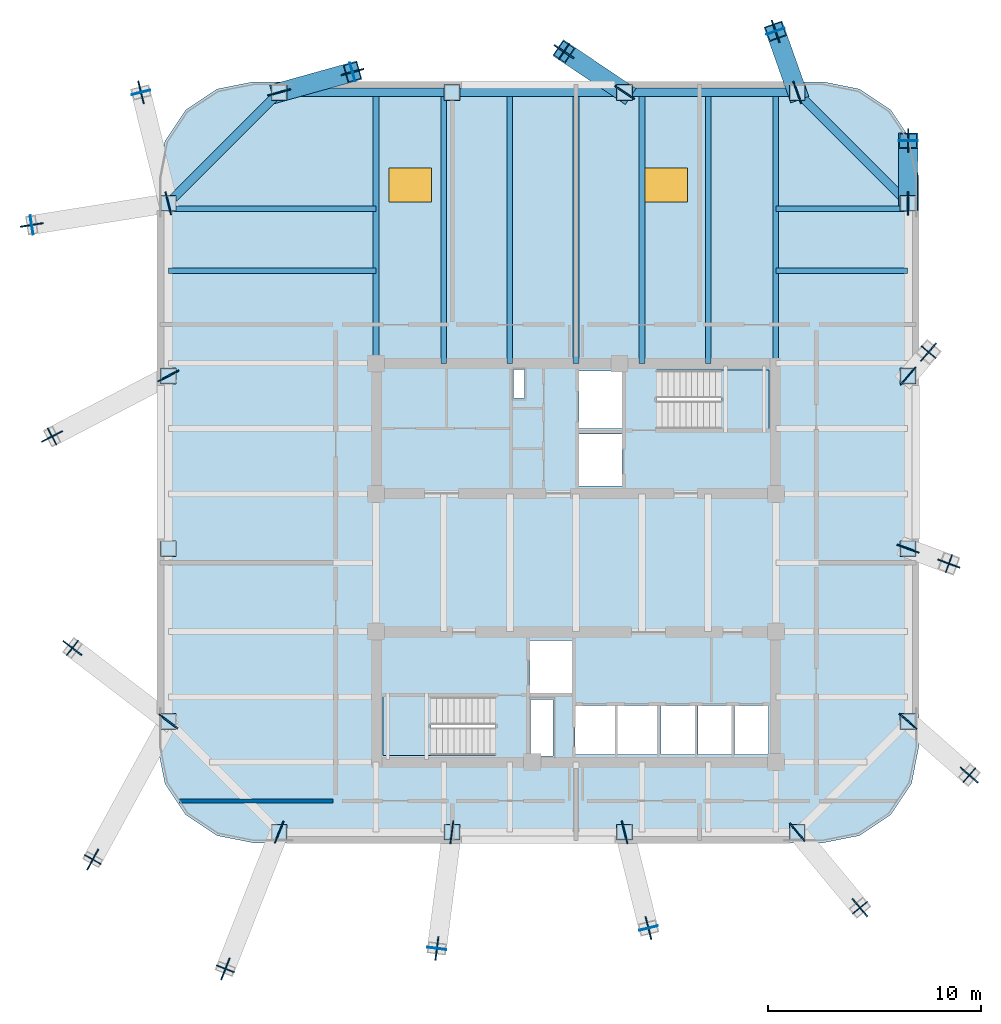
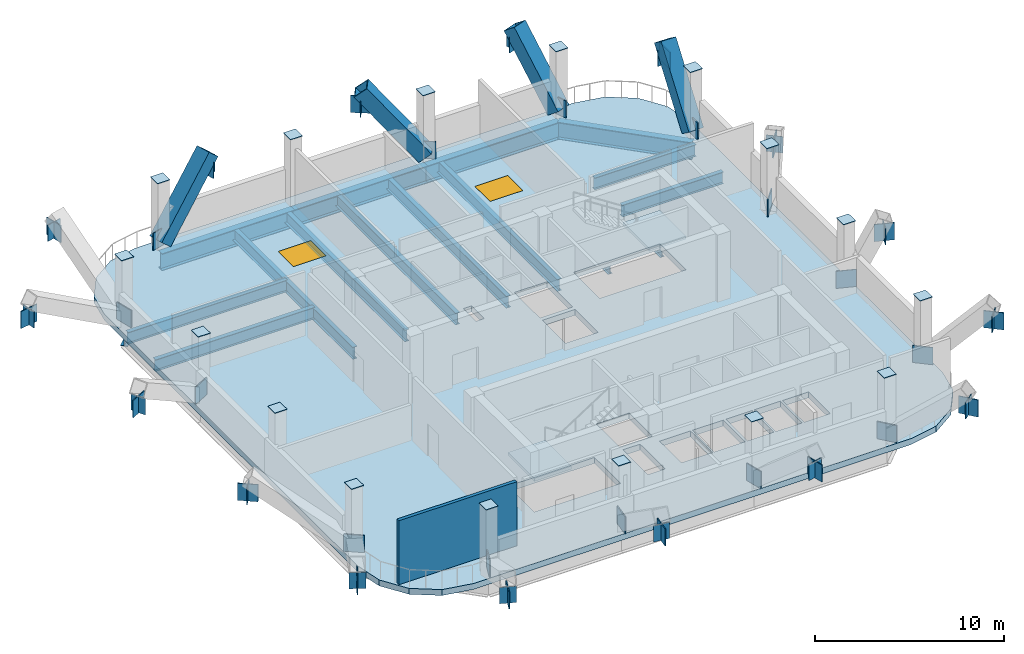
# One storey, part 2 of 8: 62 plates, 16 beams, 4 members, 3 slabs, 2 windows, 1 wall, 2 openings, 2 elements without a shape of their own.
"""IFC4 building model written with IfcOpenShell, lengths in metres."""

from ifc_helpers import new_model, si_unit, direction, frame, frame_2d, origin, origin_2d, place, context, subcontext, project, spatial, polyline, rectangle, hollow_rectangle, i_section, outline, extrude, material, layer, layer_set, material_profile, profile_set, type_object, element, fill, aggregate, save


model = new_model("IFC4")

# Units and contexts
model_context = context("Model", 3, precision=1e-05, world=origin(), true_north=direction((0.0, 1.0)))
body_context = subcontext(model_context, "Body", "Model", "MODEL_VIEW")
ifc_project = project(units=[si_unit("LENGTHUNIT", "METRE"), si_unit("AREAUNIT", "SQUARE_METRE"), si_unit("VOLUMEUNIT", "CUBIC_METRE"), si_unit("PLANEANGLEUNIT", "RADIAN"), si_unit("MASSUNIT", "GRAM", prefix="KILO")], contexts=[model_context])

# Site, building, storey
site_placement = place(None, origin())
site = spatial("IfcSite", under=ifc_project, at=site_placement, CompositionType="ELEMENT")
building_placement = place(site_placement, origin())
building = spatial("IfcBuilding", under=site, at=building_placement, Name="Qhalaya Broadcast Tower", CompositionType="ELEMENT")
storey_placement = place(building_placement, frame((0.0, 0.0, 151.800048828125)))
storey = spatial("IfcBuildingStorey", under=building, at=storey_placement, Name="L44", CompositionType="ELEMENT", Elevation=151.800048828125)

# Members
ifc_material_1 = material(Name="Structural Steel ASTM A572 Grade 50", Category="steel")
ifc_material_profile_1 = material_profile(ifc_material_1, hollow_rectangle(XDim=0.89990234375, YDim=0.89990234375, WallThickness=0.054931640625, at=origin_2d()), Name="BOX 900x900x55")
ifc_profile_set_1 = profile_set([ifc_material_profile_1], Name="Structural Steel ASTM A572 Grade 50")
member_type = type_object("IfcMemberType", Name="Heavy Exoskeleton Transfer Strut RK1", PredefinedType="BRACE", material=ifc_profile_set_1)
member_1_placement = place(storey_placement, frame((15.580078125, 17.4599609375, 0.273193359375), z_axis=(0.000388568783, 0.584990303123, 0.811040192756), x_axis=(-0.999999779399, 0.000664231006, 0.0)))
element("IfcMember", 1, at=member_1_placement, inside=storey, type_object=member_type, Name="L44 Inclined Exoskeleton Transfer Strut 08", PredefinedType="BRACE", context=body_context, shape_type="SweptSolid", body=[
    extrude(hollow_rectangle(XDim=0.89990234375, YDim=0.89990234375, WallThickness=0.054931640625, at=origin_2d()), origin(), (0.0, 0.0, 1.0), 5.0263671875),
])
member_2_placement = place(storey_placement, frame((10.3798828125, 22.659912109375, 0.279296875), z_axis=(-0.200265773663, 0.564289288372, 0.800918983998), x_axis=(-0.942409800882, -0.33446041201, 0.0)))
element("IfcMember", 2, at=member_2_placement, inside=storey, type_object=member_type, Name="L44 Inclined Exoskeleton Transfer Strut 09", PredefinedType="BRACE", context=body_context, shape_type="SweptSolid", body=[
    extrude(hollow_rectangle(XDim=0.89990234375, YDim=0.89990234375, WallThickness=0.054931640625, at=origin_2d()), origin(), (0.0, 0.0, 1.0), 5.082275390625),
])
member_3_placement = place(storey_placement, frame((2.280029296875, 22.659912109375, 0.300537109375), z_axis=(-0.535405118325, 0.360712392239, 0.763693609609), x_axis=(-0.558742567208, -0.829341150305, 0.0)))
element("IfcMember", 3, at=member_3_placement, inside=storey, type_object=member_type, Name="L44 Inclined Exoskeleton Transfer Strut 10", PredefinedType="BRACE", context=body_context, shape_type="SweptSolid", body=[
    extrude(hollow_rectangle(XDim=0.89990234375, YDim=0.89990234375, WallThickness=0.054931640625, at=origin_2d()), origin(), (0.0, 0.0, 1.0), 5.30224609375),
])
member_4_placement = place(storey_placement, frame((-13.919921875, 22.659912109375, 0.307861328125), z_axis=(0.637875758057, 0.177484448435, 0.749408959012), x_axis=(-0.268059906631, 0.963402245408, 0.0)))
element("IfcMember", 4, at=member_4_placement, inside=storey, type_object=member_type, Name="L44 Inclined Exoskeleton Transfer Strut 11", PredefinedType="BRACE", context=body_context, shape_type="SweptSolid", body=[
    extrude(hollow_rectangle(XDim=0.89990234375, YDim=0.89990234375, WallThickness=0.054931640625, at=origin_2d()), origin(), (0.0, 0.0, 1.0), 5.3935546875),
])

# Beams
ifc_material_2 = material(Name="Structural Steel ASTM A992 Grade 50", Category="steel")
ifc_material_profile_2 = material_profile(ifc_material_2, i_section(OverallWidth=0.26708984375, OverallDepth=0.780029296875, WebThickness=0.0166015625, FlangeThickness=0.030029296875, at=origin_2d()), Name="W30X148")
ifc_profile_set_2 = profile_set([ifc_material_profile_2], Name="Structural Steel ASTM A992 Grade 50")
beam_type_1 = type_object("IfcBeamType", Name="Neck & Crown Primary Girder PG5", PredefinedType="USERDEFINED", material=ifc_profile_set_2)
for number, where, z_axis, x_axis, name in (
    (5, (-9.375, 9.949951171875, -0.77001953125), (0.0, 1.0, 0.0), (-1.0, 0.0, 0.0), "L44 PG5 L44-PGXN1-1"),
    (6, (9.375, 9.949951171875, -0.77001953125), (0.0, 1.0, 0.0), (-1.0, 0.0, 0.0), "L44 PG5 L44-PGXN2-1"),
):
    element("IfcBeam", number, at=place(storey_placement, frame(where, z_axis=z_axis, x_axis=x_axis)), inside=storey, type_object=beam_type_1, Name=name, ObjectType="GIRDER", PredefinedType="USERDEFINED", context=body_context, shape_type="SweptSolid", body=[
        extrude(i_section(OverallWidth=0.26708984375, OverallDepth=0.780029296875, WebThickness=0.0166015625, FlangeThickness=0.030029296875, at=origin_2d()), origin(), (0.0, 0.0, 1.0), 12.68994140625),
    ])
ifc_material_profile_3 = material_profile(ifc_material_2, i_section(OverallWidth=0.26708984375, OverallDepth=0.761962890625, WebThickness=0.014404296875, FlangeThickness=0.021484375, at=origin_2d()), Name="W30X116")
ifc_profile_set_3 = profile_set([ifc_material_profile_3], Name="Structural Steel ASTM A992 Grade 50")
beam_type_2 = type_object("IfcBeamType", Name="Plant & Server Floor Beam B02", PredefinedType="BEAM", material=ifc_profile_set_3)
for number, where, z_axis, x_axis, name in (
    (7, (-6.199951171875, 9.949951171875, -0.760986328125), (0.0, 1.0, 0.0), (-1.0, 0.0, 0.0), "L44 B02 L44-JNN1-1"),
    (8, (-3.10009765625, 9.949951171875, -0.760986328125), (0.0, 1.0, 0.0), (-1.0, 0.0, 0.0), "L44 B02 L44-JNN2-1"),
    (9, (0.0, 9.949951171875, -0.760986328125), (0.0, 1.0, 0.0), (-1.0, 0.0, 0.0), "L44 B02 L44-JNN3-1"),
    (10, (3.10009765625, 9.949951171875, -0.760986328125), (0.0, 1.0, 0.0), (-1.0, 0.0, 0.0), "L44 B02 L44-JNN4-1"),
    (11, (6.199951171875, 9.949951171875, -0.760986328125), (0.0, 1.0, 0.0), (-1.0, 0.0, 0.0), "L44 B02 L44-JNN5-1"),
):
    element("IfcBeam", number, at=place(storey_placement, frame(where, z_axis=z_axis, x_axis=x_axis)), inside=storey, type_object=beam_type_2, Name=name, PredefinedType="BEAM", context=body_context, shape_type="SweptSolid", body=[
        extrude(i_section(OverallWidth=0.26708984375, OverallDepth=0.761962890625, WebThickness=0.014404296875, FlangeThickness=0.021484375, at=origin_2d()), origin(), (0.0, 0.0, 1.0), 12.68994140625),
    ])
beam_1_placement = place(storey_placement, frame((-19.10009765625, 14.300048828125, -0.760986328125), z_axis=(1.0, 0.0, 0.0), x_axis=(0.0, 1.0, 0.0)))
element("IfcBeam", 12, at=beam_1_placement, inside=storey, type_object=beam_type_2, Name="L44 B02 L44-JWE6W-1", PredefinedType="BEAM", context=body_context, shape_type="SweptSolid", body=[
    extrude(i_section(OverallWidth=0.26708984375, OverallDepth=0.761962890625, WebThickness=0.014404296875, FlangeThickness=0.021484375, at=origin_2d()), origin(), (0.0, 0.0, 1.0), 9.72509765625),
])
beam_2_placement = place(storey_placement, frame((9.375, 14.300048828125, -0.760986328125), z_axis=(1.0, 0.0, 0.0), x_axis=(0.0, 1.0, 0.0)))
element("IfcBeam", 13, at=beam_2_placement, inside=storey, type_object=beam_type_2, Name="L44 B02 L44-JWE6E-1", PredefinedType="BEAM", context=body_context, shape_type="SweptSolid", body=[
    extrude(i_section(OverallWidth=0.26708984375, OverallDepth=0.761962890625, WebThickness=0.014404296875, FlangeThickness=0.021484375, at=origin_2d()), origin(), (0.0, 0.0, 1.0), 6.18505859375),
])
beam_3_placement = place(storey_placement, frame((-19.10009765625, 17.199951171875, -0.760986328125), z_axis=(1.0, 0.0, 0.0), x_axis=(0.0, 1.0, 0.0)))
element("IfcBeam", 14, at=beam_3_placement, inside=storey, type_object=beam_type_2, Name="L44 B02 L44-JWE7W-1", PredefinedType="BEAM", context=body_context, shape_type="SweptSolid", body=[
    extrude(i_section(OverallWidth=0.26708984375, OverallDepth=0.761962890625, WebThickness=0.014404296875, FlangeThickness=0.021484375, at=origin_2d()), origin(), (0.0, 0.0, 1.0), 9.72509765625),
])
beam_4_placement = place(storey_placement, frame((9.375, 17.199951171875, -0.760986328125), z_axis=(1.0, 0.0, 0.0), x_axis=(0.0, 1.0, 0.0)))
element("IfcBeam", 15, at=beam_4_placement, inside=storey, type_object=beam_type_2, Name="L44 B02 L44-JWE7E-1", PredefinedType="BEAM", context=body_context, shape_type="SweptSolid", body=[
    extrude(i_section(OverallWidth=0.26708984375, OverallDepth=0.761962890625, WebThickness=0.014404296875, FlangeThickness=0.021484375, at=origin_2d()), origin(), (0.0, 0.0, 1.0), 6.18505859375),
])
ifc_material_profile_4 = material_profile(ifc_material_2, i_section(OverallWidth=0.404052734375, OverallDepth=1.117919921875, WebThickness=0.026123046875, FlangeThickness=0.044921875, at=origin_2d()), Name="W44X335")
ifc_profile_set_4 = profile_set([ifc_material_profile_4], Name="Structural Steel ASTM A992 Grade 50")
beam_type_3 = type_object("IfcBeamType", Name="Podium Long-Span Primary Girder PG1", PredefinedType="USERDEFINED", material=ifc_profile_set_4)
beam_5_placement = place(storey_placement, frame((15.580078125, 17.4599609375, -0.93896484375), z_axis=(-0.707123380132, 0.707090181851, 0.0), x_axis=(-0.707090181851, -0.707123380132, 0.0)))
element("IfcBeam", 16, at=beam_5_placement, inside=storey, type_object=beam_type_3, Name="L44 PG1 L44-SPR-08", ObjectType="GIRDER", PredefinedType="USERDEFINED", context=body_context, shape_type="SweptSolid", body=[
    extrude(i_section(OverallWidth=0.404052734375, OverallDepth=1.117919921875, WebThickness=0.026123046875, FlangeThickness=0.044921875, at=origin_2d()), origin(), (0.0, 0.0, 1.0), 7.35400390625),
])
beam_6_placement = place(storey_placement, frame((10.3798828125, 22.659912109375, -0.93896484375), z_axis=(-1.0, 0.0, 0.0), x_axis=(0.0, -1.0, 0.0)))
element("IfcBeam", 17, at=beam_6_placement, inside=storey, type_object=beam_type_3, Name="L44 PG1 L44-SPR-09", ObjectType="GIRDER", PredefinedType="USERDEFINED", context=body_context, shape_type="SweptSolid", body=[
    extrude(i_section(OverallWidth=0.404052734375, OverallDepth=1.117919921875, WebThickness=0.026123046875, FlangeThickness=0.044921875, at=origin_2d()), origin(), (0.0, 0.0, 1.0), 8.099853515625),
])
beam_7_placement = place(storey_placement, frame((2.280029296875, 22.659912109375, -0.93896484375), z_axis=(-1.0, 0.0, 0.0), x_axis=(0.0, -1.0, 0.0)))
element("IfcBeam", 18, at=beam_7_placement, inside=storey, type_object=beam_type_3, Name="L44 PG1 L44-SPR-10", ObjectType="GIRDER", PredefinedType="USERDEFINED", context=body_context, shape_type="SweptSolid", body=[
    extrude(i_section(OverallWidth=0.404052734375, OverallDepth=1.117919921875, WebThickness=0.026123046875, FlangeThickness=0.044921875, at=origin_2d()), origin(), (0.0, 0.0, 1.0), 8.10009765625),
])
beam_8_placement = place(storey_placement, frame((-5.820068359375, 22.659912109375, -0.93896484375), z_axis=(-1.0, 0.0, 0.0), x_axis=(0.0, -1.0, 0.0)))
element("IfcBeam", 19, at=beam_8_placement, inside=storey, type_object=beam_type_3, Name="L44 PG1 L44-SPR-11", ObjectType="GIRDER", PredefinedType="USERDEFINED", context=body_context, shape_type="SweptSolid", body=[
    extrude(i_section(OverallWidth=0.404052734375, OverallDepth=1.117919921875, WebThickness=0.026123046875, FlangeThickness=0.044921875, at=origin_2d()), origin(), (0.0, 0.0, 1.0), 8.099853515625),
])
beam_9_placement = place(storey_placement, frame((-13.919921875, 22.659912109375, -0.93896484375), z_axis=(-0.707123380132, -0.707090181851, 0.0), x_axis=(0.707090181851, -0.707123380132, 0.0)))
element("IfcBeam", 20, at=beam_9_placement, inside=storey, type_object=beam_type_3, Name="L44 PG1 L44-SPR-12", ObjectType="GIRDER", PredefinedType="USERDEFINED", context=body_context, shape_type="SweptSolid", body=[
    extrude(i_section(OverallWidth=0.404052734375, OverallDepth=1.117919921875, WebThickness=0.026123046875, FlangeThickness=0.044921875, at=origin_2d()), origin(), (0.0, 0.0, 1.0), 7.35400390625),
])

# Plates
ifc_layer_1 = layer(ifc_material_1, 0.054931640625, Name="Structural Steel ASTM A572 Grade 50")
ifc_layer_set_1 = layer_set([ifc_layer_1], Name="Structural Steel ASTM A572 Grade 50")
plate_type_1 = type_object("IfcPlateType", Name="Exoskeleton Diamond Node Gusset Plate NP-01", PredefinedType="USERDEFINED", material=ifc_layer_set_1)
for number, where, z_axis, x_axis, name in (
    (21, (-13.919921875, -12.0400390625, 0.0), (0.0, 0.0, 1.0), (-0.366241390838, -0.930519878153, 0.0), "L44 Strut Foot Gusset Plate 01"),
    (22, (-16.44189453125, -18.44775390625, 2.77001953125), (0.0, 0.0, 1.0), (-0.366241390838, -0.930519878153, 0.0), "L44 Strut Head Gusset Plate 01"),
    (23, (-5.820068359375, -12.0400390625, 0.0), (0.0, 0.0, 1.0), (-0.127549324477, -0.991832228668, 0.0), "L44 Strut Foot Gusset Plate 02"),
    (24, (-6.521240234375, -17.49267578125, 2.77001953125), (0.0, 0.0, 1.0), (-0.127549324477, -0.991832228668, 0.0), "L44 Strut Head Gusset Plate 02"),
    (25, (2.280029296875, -12.0400390625, 0.0), (0.0, 0.0, 1.0), (0.241583183765, -0.970380113833, 0.0), "L44 Strut Foot Gusset Plate 03"),
    (26, (3.399658203125, -16.537353515625, 2.77001953125), (0.0, 0.0, 1.0), (0.241583183765, -0.970380113833, 0.0), "L44 Strut Head Gusset Plate 03"),
    (27, (10.3798828125, -12.0400390625, 0.0), (0.0, 0.0, 1.0), (0.638740960015, -0.769421851781, 0.0), "L44 Strut Foot Gusset Plate 04"),
    (28, (13.3203125, -15.58203125, 2.77001953125), (0.0, 0.0, 1.0), (0.638740960015, -0.769421851781, 0.0), "L44 Strut Head Gusset Plate 04"),
    (29, (15.580078125, -6.840087890625, 0.0), (0.0, 0.0, 1.0), (0.750929980424, -0.660381832352, 0.0), "L44 Strut Foot Gusset Plate 05"),
    (30, (18.44775390625, -9.362060546875, 2.77001953125), (0.0, 0.0, 1.0), (0.750929980424, -0.660381832352, 0.0), "L44 Strut Head Gusset Plate 05"),
    (31, (15.580078125, 1.260009765625, 0.0), (0.0, 0.0, 1.0), (0.938890154993, -0.344216903792, 0.0), "L44 Strut Foot Gusset Plate 06"),
    (32, (17.49267578125, 0.558837890625, 2.77001953125), (0.0, 0.0, 1.0), (0.938890154993, -0.344216903792, 0.0), "L44 Strut Head Gusset Plate 06"),
    (33, (15.580078125, 9.360107421875, 0.0), (0.0, 0.0, 1.0), (0.649872637826, 0.760043126806, 0.0), "L44 Strut Foot Gusset Plate 07"),
    (34, (16.537353515625, 10.4794921875, 2.77001953125), (0.0, 0.0, 1.0), (0.649872637826, 0.760043126806, 0.0), "L44 Strut Head Gusset Plate 07"),
    (35, (15.580078125, 17.4599609375, 0.0), (0.0, 0.0, 1.0), (0.000680678356, 0.999999768338, 0.0), "L44 Strut Foot Gusset Plate 08"),
    (36, (15.58203125, 20.400390625, 2.77001953125), (0.0, 0.0, 1.0), (0.000680678356, 0.999999768338, 0.0), "L44 Strut Head Gusset Plate 08"),
    (37, (10.3798828125, 22.659912109375, 0.0), (0.0, 0.0, 1.0), (-0.334530657431, 0.942384867896, 0.0), "L44 Strut Foot Gusset Plate 09"),
    (38, (9.362060546875, 25.52783203125, 2.77001953125), (0.0, 0.0, 1.0), (-0.334530657431, 0.942384867896, 0.0), "L44 Strut Head Gusset Plate 09"),
    (39, (2.280029296875, 22.659912109375, 0.0), (0.0, 0.0, 1.0), (-0.829330251619, 0.55875874378, 0.0), "L44 Strut Foot Gusset Plate 10"),
    (40, (-0.558837890625, 24.572509765625, 2.77001953125), (0.0, 0.0, 1.0), (-0.829330251619, 0.55875874378, 0.0), "L44 Strut Head Gusset Plate 10"),
    (41, (-13.919921875, 22.659912109375, 0.0), (0.0, 0.0, 1.0), (0.963401555555, 0.268062385935, 0.0), "L44 Strut Foot Gusset Plate 11"),
    (42, (-10.4794921875, 23.6171875, 2.77001953125), (0.0, 0.0, 1.0), (0.963401555555, 0.268062385935, 0.0), "L44 Strut Head Gusset Plate 11"),
    (43, (-19.1201171875, 17.4599609375, 0.0), (0.0, 0.0, 1.0), (-0.239008014815, 0.971017594513, 0.0), "L44 Strut Foot Gusset Plate 12"),
    (44, (-20.400390625, 22.662109375, 2.77001953125), (0.0, 0.0, 1.0), (-0.239008014815, 0.971017594513, 0.0), "L44 Strut Head Gusset Plate 12"),
    (45, (-25.52783203125, 16.44189453125, 2.77001953125), (0.0, 0.0, 1.0), (-0.987614512927, -0.156899884819, 0.0), "L44 Strut Head Gusset Plate 13"),
    (46, (-19.1201171875, 9.360107421875, 0.0), (0.0, 0.0, 1.0), (-0.886986654861, -0.461795056381, 0.0), "L44 Strut Foot Gusset Plate 14"),
    (47, (-24.572509765625, 6.521240234375, 2.77001953125), (0.0, 0.0, 1.0), (-0.886986654861, -0.461795056381, 0.0), "L44 Strut Head Gusset Plate 14"),
    (48, (-19.1201171875, -6.840087890625, 0.0), (0.0, 0.0, 1.0), (-0.794244978231, 0.60759765845, 0.0), "L44 Strut Foot Gusset Plate 15"),
    (49, (-23.6171875, -3.399658203125, 2.77001953125), (0.0, 0.0, 1.0), (-0.794244978231, 0.60759765845, 0.0), "L44 Strut Head Gusset Plate 15"),
    (50, (-22.662109375, -13.3203125, 2.77001953125), (0.0, 0.0, 1.0), (-0.479611016922, -0.87748120917, 0.0), "L44 Strut Head Gusset Plate 16"),
):
    element("IfcPlate", number, at=place(storey_placement, frame(where, z_axis=z_axis, x_axis=x_axis)), inside=storey, type_object=plate_type_1, Name=name, ObjectType="GUSSET_PLATE", PredefinedType="USERDEFINED", context=body_context, shape_type="SweptSolid", body=[
        extrude(rectangle(XDim=1.10009765625, YDim=0.06005859375, at=origin_2d()), origin(), (0.0, 0.0, 1.0), 1.10009765625),
    ])
ifc_layer_2 = layer(ifc_material_1, 0.4599609375, Name="Structural Steel ASTM A572 Grade 50")
ifc_layer_set_2 = layer_set([ifc_layer_2], Name="Structural Steel ASTM A572 Grade 50")
plate_type_2 = type_object("IfcPlateType", Name="Hollow Box Member End Cap Plate CP-01", PredefinedType="USERDEFINED", material=ifc_layer_set_2)
for number, where, z_axis, x_axis, name in (
    (51, (-13.919921875, -12.0400390625, 4.35009765625), (0.0, 0.0, 1.0), (1.0, 0.0, 0.0), "L44 Hollow Box Column Top Cap Plate COL-NK01"),
    (52, (-5.820068359375, -12.0400390625, 4.35009765625), (0.0, 0.0, 1.0), (1.0, 0.0, 0.0), "L44 Hollow Box Column Top Cap Plate COL-NK02"),
    (53, (2.280029296875, -12.0400390625, 4.35009765625), (0.0, 0.0, 1.0), (1.0, 0.0, 0.0), "L44 Hollow Box Column Top Cap Plate COL-NK03"),
    (54, (10.3798828125, -12.0400390625, 4.35009765625), (0.0, 0.0, 1.0), (1.0, 0.0, 0.0), "L44 Hollow Box Column Top Cap Plate COL-NK04"),
    (55, (15.580078125, -6.840087890625, 4.35009765625), (0.0, 0.0, 1.0), (0.0, 1.0, 0.0), "L44 Hollow Box Column Top Cap Plate COL-NK05"),
    (56, (15.580078125, 1.260009765625, 4.35009765625), (0.0, 0.0, 1.0), (0.0, 1.0, 0.0), "L44 Hollow Box Column Top Cap Plate COL-NK06"),
    (57, (15.580078125, 9.360107421875, 4.35009765625), (0.0, 0.0, 1.0), (0.0, 1.0, 0.0), "L44 Hollow Box Column Top Cap Plate COL-NK07"),
    (58, (15.580078125, 17.4599609375, 4.35009765625), (0.0, 0.0, 1.0), (0.0, 1.0, 0.0), "L44 Hollow Box Column Top Cap Plate COL-NK08"),
    (59, (10.3798828125, 22.659912109375, 4.35009765625), (0.0, 0.0, 1.0), (1.0, 0.0, 0.0), "L44 Hollow Box Column Top Cap Plate COL-NK09"),
    (60, (2.280029296875, 22.659912109375, 4.35009765625), (0.0, 0.0, 1.0), (1.0, 0.0, 0.0), "L44 Hollow Box Column Top Cap Plate COL-NK10"),
    (61, (-5.820068359375, 22.659912109375, 4.35009765625), (0.0, 0.0, 1.0), (1.0, 0.0, 0.0), "L44 Hollow Box Column Top Cap Plate COL-NK11"),
    (62, (-13.919921875, 22.659912109375, 4.35009765625), (0.0, 0.0, 1.0), (1.0, 0.0, 0.0), "L44 Hollow Box Column Top Cap Plate COL-NK12"),
    (63, (-19.1201171875, 17.4599609375, 4.35009765625), (0.0, 0.0, 1.0), (0.0, 1.0, 0.0), "L44 Hollow Box Column Top Cap Plate COL-NK13"),
    (64, (-19.1201171875, 9.360107421875, 4.35009765625), (0.0, 0.0, 1.0), (0.0, 1.0, 0.0), "L44 Hollow Box Column Top Cap Plate COL-NK14"),
    (65, (-19.1201171875, 1.260009765625, 4.35009765625), (0.0, 0.0, 1.0), (0.0, 1.0, 0.0), "L44 Hollow Box Column Top Cap Plate COL-NK15"),
    (66, (-19.1201171875, -6.840087890625, 4.35009765625), (0.0, 0.0, 1.0), (0.0, 1.0, 0.0), "L44 Hollow Box Column Top Cap Plate COL-NK16"),
):
    element("IfcPlate", number, at=place(storey_placement, frame(where, z_axis=z_axis, x_axis=x_axis)), inside=storey, type_object=plate_type_2, Name=name, ObjectType="COVER_PLATE", PredefinedType="USERDEFINED", context=body_context, shape_type="SweptSolid", body=[
        extrude(rectangle(XDim=0.739990234375, YDim=0.739990234375, at=origin_2d()), origin(), (0.0, 0.0, 1.0), 0.031982421875),
    ])

# Stair, slab
ifc_material_3 = material(Name="Concrete C40/50", Category="concrete")
stair_type = type_object("IfcStairType", Name="Protected Dogleg Core Stair 4200", PredefinedType="TWO_STRAIGHT_RUN_STAIR", material=ifc_material_3)
stair_1_placement = place(storey_placement, origin())
stair_1 = element("IfcStair", 67, at=stair_1_placement, inside=storey, type_object=stair_type, Name="L44 North Core Exit Stair ST-1", PredefinedType="TWO_STRAIGHT_RUN_STAIR")
ifc_layer_3 = layer(ifc_material_3, 0.199951171875, Name="Concrete C40/50")
ifc_layer_set_3 = layer_set([ifc_layer_3], Name="Concrete C40/50")
slab_type_1 = type_object("IfcSlabType", Name="Stair & Ramp Half-Landing Slab 200", PredefinedType="LANDING", material=ifc_layer_set_3)
slab_1_placement = place(storey_placement, frame((0.0, 0.0, 1.974853515625)))
slab_1 = element("IfcSlab", 68, at=slab_1_placement, type_object=slab_type_1, Name="ST-1 landing 1", PredefinedType="LANDING", context=body_context, shape_type="SweptSolid", body=[
    extrude(outline(polyline([(6.794921875, 6.8798828125), (9.050048828125, 6.8798828125), (9.050048828125, 9.639892578125), (6.794921875, 9.639892578125), (6.794921875, 6.8798828125)])), origin(), (0.0, 0.0, 1.0), 0.2001953125),
])
aggregate(stair_1, [slab_1])

stair_2_placement = place(storey_placement, origin())
stair_2 = element("IfcStair", 69, at=stair_2_placement, inside=storey, type_object=stair_type, Name="L44 South Core Exit Stair ST-2", PredefinedType="TWO_STRAIGHT_RUN_STAIR")
slab_2_placement = place(storey_placement, frame((0.0, 0.0, 1.974853515625)))
slab_2 = element("IfcSlab", 70, at=slab_2_placement, type_object=slab_type_1, Name="ST-2 landing 1", PredefinedType="LANDING", context=body_context, shape_type="SweptSolid", body=[
    extrude(outline(polyline([(-6.794921875, -5.679931640625), (-9.050048828125, -5.679931640625), (-9.050048828125, -8.43994140625), (-6.794921875, -8.43994140625), (-6.794921875, -5.679931640625)])), origin(), (0.0, 0.0, 1.0), 0.2001953125),
])
aggregate(stair_2, [slab_2])

# Slab, openings, windows
ifc_layer_4 = layer(ifc_material_3, 0.3798828125, Name="Concrete C40/50")
ifc_layer_set_4 = layer_set([ifc_layer_4], Name="Concrete C40/50")
slab_type_2 = type_object("IfcSlabType", Name="Transfer & Sky-Pool Structural Deck Slab 380", PredefinedType="FLOOR", material=ifc_layer_set_4)
slab_3_placement = place(storey_placement, frame((0.0, 0.0, -0.380126953125)))
slab_3 = element("IfcSlab", 71, at=slab_3_placement, inside=storey, type_object=slab_type_2, Name="L44 Main Structural Floor Slab", PredefinedType="FLOOR", context=body_context, shape_type="SweptSolid", body=[
    extrude(outline(polyline([(11.580078125, -12.5400390625), (13.302001953125, -12.197509765625), (14.761962890625, -11.221923828125), (15.737548828125, -9.76220703125), (16.080078125, -8.0400390625), (16.080078125, 18.659912109375), (15.737548828125, 20.382080078125), (14.761962890625, 21.842041015625), (13.302001953125, 22.8173828125), (11.580078125, 23.159912109375), (-15.1201171875, 23.159912109375), (-16.842041015625, 22.8173828125), (-18.302001953125, 21.842041015625), (-19.277587890625, 20.382080078125), (-19.6201171875, 18.659912109375), (-19.6201171875, -8.0400390625), (-19.277587890625, -9.76220703125), (-18.302001953125, -11.221923828125), (-16.842041015625, -12.197509765625), (-15.1201171875, -12.5400390625), (11.580078125, -12.5400390625)]), holes=[polyline([(3.784912109375, 9.639892578125), (9.050048828125, 9.639892578125), (9.050048828125, 6.8798828125), (3.784912109375, 6.8798828125), (3.784912109375, 9.639892578125)]), polyline([(-3.784912109375, -8.43994140625), (-9.050048828125, -8.43994140625), (-9.050048828125, -5.679931640625), (-3.784912109375, -5.679931640625), (-3.784912109375, -8.43994140625)]), polyline([(0.14990234375, 6.64990234375), (2.14990234375, 6.64990234375), (2.14990234375, 4.199951171875), (0.14990234375, 4.199951171875), (0.14990234375, 6.64990234375)]), polyline([(0.14990234375, 9.60009765625), (2.14990234375, 9.60009765625), (2.14990234375, 6.89990234375), (0.14990234375, 6.89990234375), (0.14990234375, 9.60009765625)]), polyline([(-2.14990234375, -3.050048828125), (-0.14990234375, -3.050048828125), (-0.14990234375, -5.5), (-2.14990234375, -5.5), (-2.14990234375, -3.050048828125)]), polyline([(-0.050048828125, -6.10009765625), (1.830078125, -6.10009765625), (1.830078125, -8.39990234375), (-0.050048828125, -8.39990234375), (-0.050048828125, -6.10009765625)]), polyline([(1.949951171875, -6.10009765625), (3.830078125, -6.10009765625), (3.830078125, -8.39990234375), (1.949951171875, -8.39990234375), (1.949951171875, -6.10009765625)]), polyline([(4.0, -6.10009765625), (5.60009765625, -6.10009765625), (5.60009765625, -8.39990234375), (4.0, -8.39990234375), (4.0, -6.10009765625)]), polyline([(5.719970703125, -6.10009765625), (7.320068359375, -6.10009765625), (7.320068359375, -8.39990234375), (5.719970703125, -8.39990234375), (5.719970703125, -6.10009765625)]), polyline([(7.43994140625, -6.10009765625), (9.0400390625, -6.10009765625), (9.0400390625, -8.39990234375), (7.43994140625, -8.39990234375), (7.43994140625, -6.10009765625)]), polyline([(-2.919921875, 9.659912109375), (-2.419921875, 9.659912109375), (-2.419921875, 8.320068359375), (-2.919921875, 8.320068359375), (-2.919921875, 9.659912109375)]), polyline([(-2.1201171875, -5.820068359375), (-1.080078125, -5.820068359375), (-1.080078125, -8.4599609375), (-2.1201171875, -8.4599609375), (-2.1201171875, -5.820068359375)])]), origin(), (0.0, 0.0, 1.0), 0.380126953125),
])
opening_1_placement = place(slab_3_placement, frame((-7.77001953125, 18.31005859375, 0.0), z_axis=(0.0, 0.0, 1.0), x_axis=(1.0, 0.0, 0.0)))
opening_1 = element("IfcOpeningElement", 72, at=opening_1_placement, cuts=slab_3, Name="Opening SK4", PredefinedType="OPENING", context=body_context, shape_type="SweptSolid", body=[
    extrude(rectangle(XDim=2.0, YDim=1.60009765625, at=origin_2d()), origin(), (0.0, 0.0, 1.0), 0.380126953125),
])
opening_2_placement = place(slab_3_placement, frame((4.22998046875, 18.31005859375, 0.0), z_axis=(0.0, 0.0, 1.0), x_axis=(1.0, 0.0, 0.0)))
opening_2 = element("IfcOpeningElement", 73, at=opening_2_placement, cuts=slab_3, Name="Opening SK4", PredefinedType="OPENING", context=body_context, shape_type="SweptSolid", body=[
    extrude(rectangle(XDim=2.0, YDim=1.60009765625, at=origin_2d()), origin(), (0.0, 0.0, 1.0), 0.380126953125),
])
ifc_material_4 = material(Name="Solar-Control Low-E Triple Glazing", Category="glass")
window_type = type_object("IfcWindowType", Name="Sky-Garden Pavilion Skylight SK4", PartitioningType="SINGLE_PANEL", PredefinedType="SKYLIGHT", material=ifc_material_4)
window_1_placement = place(opening_1_placement, frame((0.0, 0.0, 0.330078125)))
window_1 = element("IfcWindow", 74, at=window_1_placement, inside=storey, type_object=window_type, Name="L44 Sky-Garden Skylight SK4-1", OverallHeight=1.60009765625, OverallWidth=2.0, PartitioningType="SINGLE_PANEL", PredefinedType="SKYLIGHT", context=body_context, shape_type="SweptSolid", body=[
    extrude(rectangle(XDim=2.0, YDim=1.60009765625, at=origin_2d()), origin(), (0.0, 0.0, 1.0), 0.050048828125),
])
fill(opening_1, window_1)
window_2_placement = place(opening_2_placement, frame((0.0, 0.0, 0.330078125)))
window_2 = element("IfcWindow", 75, at=window_2_placement, inside=storey, type_object=window_type, Name="L44 Sky-Garden Skylight SK4-2", OverallHeight=1.60009765625, OverallWidth=2.0, PartitioningType="SINGLE_PANEL", PredefinedType="SKYLIGHT", context=body_context, shape_type="SweptSolid", body=[
    extrude(rectangle(XDim=2.0, YDim=1.60009765625, at=origin_2d()), origin(), (0.0, 0.0, 1.0), 0.050048828125),
])
fill(opening_2, window_2)

# Plates
ifc_layer_5 = layer(ifc_material_1, 0.044921875, Name="Structural Steel ASTM A572 Grade 50")
ifc_layer_set_5 = layer_set([ifc_layer_5], Name="Structural Steel ASTM A572 Grade 50")
plate_type_3 = type_object("IfcPlateType", Name="Transfer Girder Web Stiffener Plate WS-01", PredefinedType="USERDEFINED", material=ifc_layer_set_5)
for number, where, z_axis, x_axis, name in (
    (76, (-16.44189453125, -18.44775390625, 2.794921875), (0.0, 0.0, 1.0), (0.930519878153, -0.366241390838, 0.0), "L44 Strut Head Cross Diaphragm Plate 01"),
    (77, (-6.521240234375, -17.49267578125, 2.794921875), (0.0, 0.0, 1.0), (0.991832228668, -0.127549324477, 0.0), "L44 Strut Head Cross Diaphragm Plate 02"),
    (78, (3.399658203125, -16.537353515625, 2.794921875), (0.0, 0.0, 1.0), (0.970380113833, 0.241583183765, 0.0), "L44 Strut Head Cross Diaphragm Plate 03"),
    (79, (13.3203125, -15.58203125, 2.794921875), (0.0, 0.0, 1.0), (0.769421851781, 0.638740960015, 0.0), "L44 Strut Head Cross Diaphragm Plate 04"),
    (80, (18.44775390625, -9.362060546875, 2.794921875), (0.0, 0.0, 1.0), (0.660381832352, 0.750929980424, 0.0), "L44 Strut Head Cross Diaphragm Plate 05"),
    (81, (17.49267578125, 0.558837890625, 2.794921875), (0.0, 0.0, 1.0), (0.344216903792, 0.938890154993, 0.0), "L44 Strut Head Cross Diaphragm Plate 06"),
    (82, (16.537353515625, 10.4794921875, 2.794921875), (0.0, 0.0, 1.0), (-0.760043126806, 0.649872637826, 0.0), "L44 Strut Head Cross Diaphragm Plate 07"),
    (83, (15.58203125, 20.400390625, 2.794921875), (0.0, 0.0, 1.0), (-0.999999768338, 0.000680678356, 0.0), "L44 Strut Head Cross Diaphragm Plate 08"),
    (84, (9.362060546875, 25.52783203125, 2.794921875), (0.0, 0.0, 1.0), (-0.942384867896, -0.334530657431, 0.0), "L44 Strut Head Cross Diaphragm Plate 09"),
    (85, (-0.558837890625, 24.572509765625, 2.794921875), (0.0, 0.0, 1.0), (-0.55875874378, -0.829330251619, 0.0), "L44 Strut Head Cross Diaphragm Plate 10"),
    (86, (-10.4794921875, 23.6171875, 2.794921875), (0.0, 0.0, 1.0), (-0.268062385935, 0.963401555555, 0.0), "L44 Strut Head Cross Diaphragm Plate 11"),
    (87, (-20.400390625, 22.662109375, 2.794921875), (0.0, 0.0, 1.0), (-0.971017594513, -0.239008014815, 0.0), "L44 Strut Head Cross Diaphragm Plate 12"),
    (88, (-25.52783203125, 16.44189453125, 2.794921875), (0.0, 0.0, 1.0), (0.156899884819, -0.987614512927, 0.0), "L44 Strut Head Cross Diaphragm Plate 13"),
    (89, (-24.572509765625, 6.521240234375, 2.794921875), (0.0, 0.0, 1.0), (0.461795056381, -0.886986654861, 0.0), "L44 Strut Head Cross Diaphragm Plate 14"),
    (90, (-23.6171875, -3.399658203125, 2.794921875), (0.0, 0.0, 1.0), (-0.60759765845, -0.794244978231, 0.0), "L44 Strut Head Cross Diaphragm Plate 15"),
    (91, (-22.662109375, -13.3203125, 2.794921875), (0.0, 0.0, 1.0), (0.87748120917, -0.479611016922, 0.0), "L44 Strut Head Cross Diaphragm Plate 16"),
):
    element("IfcPlate", number, at=place(storey_placement, frame(where, z_axis=z_axis, x_axis=x_axis)), inside=storey, type_object=plate_type_3, Name=name, ObjectType="STIFFENER_PLATE", PredefinedType="USERDEFINED", context=body_context, shape_type="SweptSolid", body=[
        extrude(rectangle(XDim=0.89990234375, YDim=0.044921875, at=origin_2d()), origin(), (0.0, 0.0, 1.0), 1.050048828125),
    ])

# Wall
ifc_material_5 = material(Name="Gypsum Acoustic Partition")
ifc_layer_6 = layer(ifc_material_5, 0.199951171875, Name="Gypsum Acoustic Partition")
ifc_layer_set_6 = layer_set([ifc_layer_6], Name="Gypsum Acoustic Partition")
wall_type = type_object("IfcWallType", Name="Firefighting Lobby & Stair Enclosure Wall 200", PredefinedType="PARTITIONING", material=ifc_layer_set_6)
wall_placement = place(storey_placement, frame((-18.59326171875, -10.570068359375, 0.0), z_axis=(0.0, 0.0, 1.0), x_axis=(1.0, 0.0, 0.0)))
element("IfcWall", 92, at=wall_placement, inside=storey, type_object=wall_type, Name="L44 Partition Wall W-PBSW", PredefinedType="PARTITIONING", context=body_context, shape_type="SweptSolid", body=[
    extrude(rectangle(XDim=7.203369140625, YDim=0.199951171875, at=frame_2d((3.6015625, 0.0))), origin(), (0.0, 0.0, 1.0), 4.1298828125),
])

save(model, "model.ifc")
